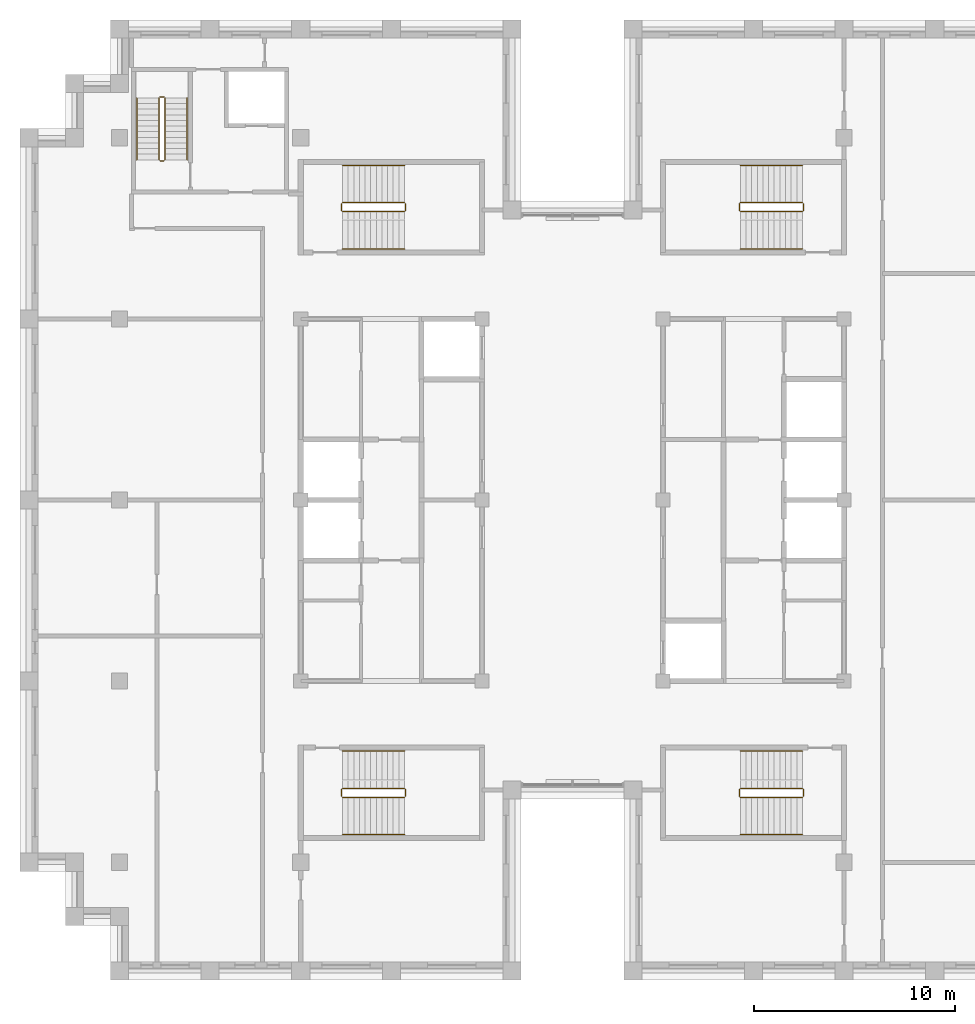
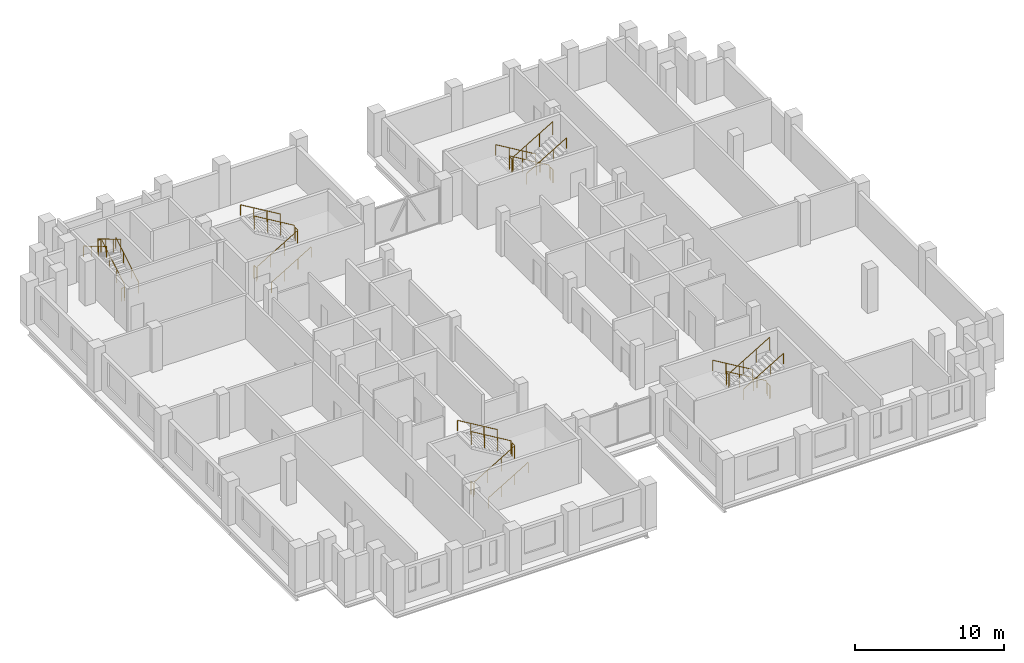
# One storey, part 13 of 13: 5 railings.
"""IFC4 building model written with IfcOpenShell, lengths in metres."""

import ifcopenshell
import ifcopenshell.guid

model = None  # the IFC model being written
_history = None  # IfcOwnerHistory: only IFC2X3 demands one
_inside = {}  # id of a spatial element -> (the spatial element, [elements in it])
_under = {}  # id of a project, library or spatial element -> (it, [spatial elements below it])
_declared = {}  # id of a project -> (the project, [libraries it declares])
_typed = {}  # id of a type object -> (the type object, [elements of that type])
_made_of = {}  # id of a material, layer set ... -> (it, [elements and type objects made of it])


def new_model(schema):
    """Start an empty IFC model of exactly this schema.

    Asked for "IFC4X3", IfcOpenShell would pick the latest addendum, in which some entities
    have other attributes; the version numbers below select the first issue.
    IFC2X3 requires an IfcOwnerHistory on every rooted entity: one is made here for all.
    """
    global model, _history
    if schema == "IFC4X3":
        model = ifcopenshell.file(schema_version=(4, 3, 0, 0))
    else:
        model = ifcopenshell.file(schema=schema)
    _inside.clear()
    _under.clear()
    _declared.clear()
    _typed.clear()
    _made_of.clear()
    _history = None
    if model.schema == "IFC2X3":
        org = make("IfcOrganization", Name="unknown")
        user = make(
            "IfcPersonAndOrganization",
            ThePerson=make("IfcPerson", FamilyName="unknown"),
            TheOrganization=org,
        )
        app = make(
            "IfcApplication",
            ApplicationDeveloper=org,
            Version="unknown",
            ApplicationFullName="unknown",
            ApplicationIdentifier="unknown",
        )
        _history = make(
            "IfcOwnerHistory",
            OwningUser=user,
            OwningApplication=app,
            ChangeAction="ADDED",
            CreationDate=0,
        )
    return model


def make(cls, **values):
    """One entity of the class cls with the attributes given. An attribute that is None is left unset."""
    return model.create_entity(
        cls, **{name: value for name, value in values.items() if value is not None}
    )


def rooted(cls, **values):
    """An entity with a GlobalId (a new one), such as an element, a storey or a relation."""
    return make(cls, GlobalId=ifcopenshell.guid.new(), OwnerHistory=_history, **values)


def si_unit(unit_type, name, prefix=None):
    """IfcSIUnit, for example si_unit("LENGTHUNIT", "METRE", prefix="MILLI")."""
    return make("IfcSIUnit", UnitType=unit_type, Prefix=prefix, Name=name)


def assignment(units):
    """IfcUnitAssignment: the units of a project."""
    return None if units is None else make("IfcUnitAssignment", Units=units)


def point(xyz):
    """IfcCartesianPoint."""
    return None if xyz is None else make("IfcCartesianPoint", Coordinates=xyz)


def direction(xyz):
    """IfcDirection."""
    return None if xyz is None else make("IfcDirection", DirectionRatios=xyz)


def frame(location, z_axis=None, x_axis=None):
    """IfcAxis2Placement3D, a coordinate frame: its origin and axes. An axis left out is left unset."""
    return make(
        "IfcAxis2Placement3D",
        Location=point(location),
        Axis=direction(z_axis),
        RefDirection=direction(x_axis),
    )


def frame_2d(location, x_axis=None):
    """IfcAxis2Placement2D, a coordinate frame in the plane: its origin and x axis."""
    return make(
        "IfcAxis2Placement2D", Location=point(location), RefDirection=direction(x_axis)
    )


def origin():
    """The frame at (0, 0, 0) with its axes left unset."""
    return frame((0.0, 0.0, 0.0))


def origin_2d():
    """The frame at (0, 0) in the plane with its x axis left unset."""
    return frame_2d((0.0, 0.0))


def place(relative_to, where):
    """IfcLocalPlacement: puts the frame where relative to a parent placement (None: the world)."""
    return make(
        "IfcLocalPlacement", PlacementRelTo=relative_to, RelativePlacement=where
    )


def context(
    kind, dimensions, precision=None, world=None, true_north=None, identifier=None
):
    """IfcGeometricRepresentationContext, for example the 3D "Model" context."""
    return make(
        "IfcGeometricRepresentationContext",
        ContextIdentifier=identifier,
        ContextType=kind,
        CoordinateSpaceDimension=dimensions,
        Precision=precision,
        WorldCoordinateSystem=world,
        TrueNorth=true_north,
    )


def subcontext(parent, identifier, kind, view, scale=None):
    """IfcGeometricRepresentationSubContext, for example "Body" below "Model"."""
    return make(
        "IfcGeometricRepresentationSubContext",
        ContextIdentifier=identifier,
        ContextType=kind,
        ParentContext=parent,
        TargetScale=scale,
        TargetView=view,
    )


def project(units=None, contexts=None):
    """IfcProject with its units and contexts."""
    return rooted(
        "IfcProject",
        Name="project",
        RepresentationContexts=contexts,
        UnitsInContext=assignment(units),
    )


def spatial(cls, under=None, at=None, **own):
    """A site, building, storey or space (cls), placed at a placement, below another one or the project."""
    s = rooted(cls, ObjectPlacement=at, **own)
    if under is not None:
        _under.setdefault(under.id(), (under, []))[1].append(s)
    return s


def profile(cls, at=None, kind="AREA", **sizes):
    """A parametric profile (cls). Its sizes go by their IFC names, for example OverallWidth=200.0."""
    return make(cls, ProfileType=kind, Position=at, **sizes)


def circle(**sizes):
    """IfcCircleProfileDef."""
    return profile("IfcCircleProfileDef", **sizes)


def extrude(swept, where, along, depth):
    """IfcExtrudedAreaSolid: the profile swept, set in the frame where, extruded along a direction by depth."""
    return make(
        "IfcExtrudedAreaSolid",
        SweptArea=swept,
        Position=where,
        ExtrudedDirection=direction(along),
        Depth=depth,
    )


def shape(context_of_items, identifier, shape_type, items):
    """IfcShapeRepresentation: the items that make up one representation, for example the "Body"."""
    return make(
        "IfcShapeRepresentation",
        ContextOfItems=context_of_items,
        RepresentationIdentifier=identifier,
        RepresentationType=shape_type,
        Items=items,
    )


def material(Name=None, Category=None):
    """IfcMaterial."""
    return make("IfcMaterial", Name=Name, Category=Category)


def made_of(thing, what):
    """Note that an element or type object is made of a material, layer set ...; save() writes the relation."""
    if what is not None:
        _made_of.setdefault(what.id(), (what, []))[1].append(thing)
    return thing


def type_object(cls, material=None, **own):
    """A type object (cls), such as IfcWallType, which elements share."""
    return made_of(rooted(cls, **own), material)


def element(
    cls,
    number,
    at=None,
    inside=None,
    cuts=None,
    type_object=None,
    material=None,
    context=None,
    identifier="Body",
    shape_type=None,
    held_by="IfcProductDefinitionShape",
    body=None,
    shapes=None,
    **own,
):
    """One element of the class cls, such as IfcWall. Its Tag is "e" and its number.

    at: its placement. inside: the storey or other place that contains it. cuts: it is an
    opening in that element (IfcRelVoidsElement). A single representation is given by context,
    identifier, shape_type and body (its items); several are given by shapes. held_by: the class
    of the entity that holds the representations. save() writes the other relations.
    """
    e = rooted(cls, Tag="e%d" % number, ObjectPlacement=at, **own)
    if body is not None:
        shapes = [shape(context, identifier, shape_type, body)]
    if shapes is not None:
        e.Representation = make(held_by, Representations=shapes)
    if inside is not None:
        _inside.setdefault(inside.id(), (inside, []))[1].append(e)
    if cuts is not None:
        rooted(
            "IfcRelVoidsElement", RelatingBuildingElement=cuts, RelatedOpeningElement=e
        )
    if type_object is not None:
        _typed.setdefault(type_object.id(), (type_object, []))[1].append(e)
    return made_of(e, material)


def aggregate(whole, parts):
    """IfcRelAggregates: a whole, such as a stair, and the parts it consists of."""
    return rooted("IfcRelAggregates", RelatingObject=whole, RelatedObjects=parts)


def save(model, path):
    """Write the relations noted so far, then the file.

    IfcRelAggregates (storeys below a building ...), IfcRelContainedInSpatialStructure (elements
    in a storey), IfcRelDefinesByType, IfcRelAssociatesMaterial and IfcRelDeclares: one each for
    every whole, place, type object, material and project.
    """
    for whole, parts in _under.values():
        aggregate(whole, parts)
    for where, things in _inside.values():
        rooted(
            "IfcRelContainedInSpatialStructure",
            RelatedElements=things,
            RelatingStructure=where,
        )
    for kind, things in _typed.values():
        rooted("IfcRelDefinesByType", RelatedObjects=things, RelatingType=kind)
    for what, things in _made_of.values():
        rooted("IfcRelAssociatesMaterial", RelatedObjects=things, RelatingMaterial=what)
    for by, libraries in _declared.values():
        rooted("IfcRelDeclares", RelatingContext=by, RelatedDefinitions=libraries)
    model.write(path)


model = new_model("IFC4")

# Units and contexts
model_context = context("Model", 3, precision=1e-05, world=origin(), true_north=direction((0.0, 1.0)))
body_context = subcontext(model_context, "Body", "Model", "MODEL_VIEW")
ifc_project = project(units=[si_unit("LENGTHUNIT", "METRE"), si_unit("AREAUNIT", "SQUARE_METRE"), si_unit("VOLUMEUNIT", "CUBIC_METRE"), si_unit("PLANEANGLEUNIT", "RADIAN"), si_unit("MASSUNIT", "GRAM", prefix="KILO")], contexts=[model_context])

# Site, building, storey
site_placement = place(None, origin())
site = spatial("IfcSite", under=ifc_project, at=site_placement, CompositionType="ELEMENT")
building_placement = place(site_placement, origin())
building = spatial("IfcBuilding", under=site, at=building_placement, Name="Corbelhall Arena Tower", CompositionType="ELEMENT")
storey_placement = place(building_placement, frame((0.0, 0.0, 316.0)))
storey = spatial("IfcBuildingStorey", under=building, at=storey_placement, Name="L69", CompositionType="ELEMENT", Elevation=316.0)

# Railings
ifc_material = material(Name="Steel ASTM A500 Gr C", Category="steel")
railing_type = type_object("IfcRailingType", Name="IN-GD-1100", PredefinedType="GUARDRAIL", material=ifc_material)
railing_1_placement = place(storey_placement, frame((-11.425048828125, 14.324951171875, 0.166748046875)))
element("IfcRailing", 1, at=railing_1_placement, inside=storey, type_object=railing_type, Name="L69 ST1 stair guards and handrails", PredefinedType="GUARDRAIL", context=body_context, shape_type="SweptSolid", body=[
    extrude(circle(Radius=0.02392578125, at=origin_2d()), frame((0.0, 0.0, 1.076171875), z_axis=(0.859308565015, 0.0, 0.511457515432), x_axis=(0.0, 1.0, 0.0)), (0.0, 0.0, 1.0), 3.58447265625),
    extrude(circle(Radius=0.02392578125, at=origin_2d()), frame((3.130126953125, 0.050048828125, 2.9091796875), z_axis=(0.0, 1.0, 0.0), x_axis=(-1.0, 0.0, 0.0)), (0.0, 0.0, 1.0), 0.35009765625),
    extrude(circle(Radius=0.02392578125, at=origin_2d()), frame((3.080078125, 0.449951171875, 3.076171875), z_axis=(-0.859308565015, 0.0, 0.511457515432), x_axis=(0.0, -1.0, 0.0)), (0.0, 0.0, 1.0), 3.58447265625),
    extrude(circle(Radius=0.02392578125, at=origin_2d()), frame((-0.050048828125, 0.050048828125, 0.9091796875), z_axis=(0.0, 1.0, 0.0), x_axis=(-1.0, 0.0, 0.0)), (0.0, 0.0, 1.0), 0.35009765625),
    extrude(circle(Radius=0.02392578125, at=origin_2d()), frame((0.0, -1.849853515625, 0.8759765625), z_axis=(0.859308565015, 0.0, 0.511457515432), x_axis=(0.0, 1.0, 0.0)), (0.0, 0.0, 1.0), 3.58447265625),
    extrude(circle(Radius=0.02392578125, at=origin_2d()), frame((3.080078125, 2.300048828125, 2.8759765625), z_axis=(-0.859308565015, 0.0, 0.511457515432), x_axis=(0.0, -1.0, 0.0)), (0.0, 0.0, 1.0), 3.58447265625),
    extrude(circle(Radius=0.02099609375, at=origin_2d()), origin(), (0.0, 0.0, 1.0), 1.052001953125),
    extrude(circle(Radius=0.02099609375, at=origin_2d()), frame((1.026611328125, 0.0, 0.611083984375)), (0.0, 0.0, 1.0), 1.052001953125),
    extrude(circle(Radius=0.02099609375, at=origin_2d()), frame((2.053466796875, 0.0, 1.22216796875)), (0.0, 0.0, 1.0), 1.052001953125),
    extrude(circle(Radius=0.02099609375, at=origin_2d()), frame((3.080078125, 0.0, 1.833251953125)), (0.0, 0.0, 1.0), 1.052001953125),
    extrude(circle(Radius=0.02099609375, at=origin_2d()), frame((3.130126953125, 0.050048828125, 1.833251953125)), (0.0, 0.0, 1.0), 1.052001953125),
    extrude(circle(Radius=0.02099609375, at=origin_2d()), frame((3.130126953125, 0.400146484375, 1.833251953125)), (0.0, 0.0, 1.0), 1.052001953125),
    extrude(circle(Radius=0.02099609375, at=origin_2d()), frame((3.080078125, 0.449951171875, 2.0)), (0.0, 0.0, 1.0), 1.052001953125),
    extrude(circle(Radius=0.02099609375, at=origin_2d()), frame((2.053466796875, 0.449951171875, 2.611083984375)), (0.0, 0.0, 1.0), 1.052001953125),
    extrude(circle(Radius=0.02099609375, at=origin_2d()), frame((1.026611328125, 0.449951171875, 3.22216796875)), (0.0, 0.0, 1.0), 1.052001953125),
    extrude(circle(Radius=0.02099609375, at=origin_2d()), frame((0.0, 0.449951171875, 3.833251953125)), (0.0, 0.0, 1.0), 1.052001953125),
    extrude(circle(Radius=0.02099609375, at=origin_2d()), frame((-0.050048828125, 0.050048828125, -0.166748046875)), (0.0, 0.0, 1.0), 1.052001953125),
    extrude(circle(Radius=0.02099609375, at=origin_2d()), frame((-0.050048828125, 0.400146484375, -0.166748046875)), (0.0, 0.0, 1.0), 1.052001953125),
    extrude(circle(Radius=0.02099609375, at=origin_2d()), frame((0.0, -1.849853515625, 0.0)), (0.0, 0.0, 1.0), 0.851806640625),
    extrude(circle(Radius=0.02099609375, at=origin_2d()), frame((1.026611328125, -1.849853515625, 0.611083984375)), (0.0, 0.0, 1.0), 0.851806640625),
    extrude(circle(Radius=0.02099609375, at=origin_2d()), frame((2.053466796875, -1.849853515625, 1.22216796875)), (0.0, 0.0, 1.0), 0.851806640625),
    extrude(circle(Radius=0.02099609375, at=origin_2d()), frame((3.080078125, -1.849853515625, 1.833251953125)), (0.0, 0.0, 1.0), 0.851806640625),
    extrude(circle(Radius=0.02099609375, at=origin_2d()), frame((3.080078125, 2.300048828125, 2.0)), (0.0, 0.0, 1.0), 0.851806640625),
    extrude(circle(Radius=0.02099609375, at=origin_2d()), frame((2.053466796875, 2.300048828125, 2.611083984375)), (0.0, 0.0, 1.0), 0.851806640625),
    extrude(circle(Radius=0.02099609375, at=origin_2d()), frame((1.026611328125, 2.300048828125, 3.22216796875)), (0.0, 0.0, 1.0), 0.851806640625),
    extrude(circle(Radius=0.02099609375, at=origin_2d()), frame((0.0, 2.300048828125, 3.833251953125)), (0.0, 0.0, 1.0), 0.851806640625),
])
railing_2_placement = place(storey_placement, frame((-11.425048828125, -14.77490234375, 0.166748046875)))
element("IfcRailing", 2, at=railing_2_placement, inside=storey, type_object=railing_type, Name="L69 ST2 stair guards and handrails", PredefinedType="GUARDRAIL", context=body_context, shape_type="SweptSolid", body=[
    extrude(circle(Radius=0.02392578125, at=origin_2d()), frame((0.0, 0.0, 1.076171875), z_axis=(0.859308565015, 0.0, 0.511457515432), x_axis=(0.0, 1.0, 0.0)), (0.0, 0.0, 1.0), 3.58447265625),
    extrude(circle(Radius=0.02392578125, at=origin_2d()), frame((3.130126953125, 0.0498046875, 2.9091796875), z_axis=(0.0, 1.0, 0.0), x_axis=(-1.0, 0.0, 0.0)), (0.0, 0.0, 1.0), 0.35009765625),
    extrude(circle(Radius=0.02392578125, at=origin_2d()), frame((3.080078125, 0.449951171875, 3.076171875), z_axis=(-0.859308565015, 0.0, 0.511457515432), x_axis=(0.0, -1.0, 0.0)), (0.0, 0.0, 1.0), 3.58447265625),
    extrude(circle(Radius=0.02392578125, at=origin_2d()), frame((-0.050048828125, 0.0498046875, 0.9091796875), z_axis=(0.0, 1.0, 0.0), x_axis=(-1.0, 0.0, 0.0)), (0.0, 0.0, 1.0), 0.35009765625),
    extrude(circle(Radius=0.02392578125, at=origin_2d()), frame((0.0, -1.85009765625, 0.8759765625), z_axis=(0.859308565015, 0.0, 0.511457515432), x_axis=(0.0, 1.0, 0.0)), (0.0, 0.0, 1.0), 3.58447265625),
    extrude(circle(Radius=0.02392578125, at=origin_2d()), frame((3.080078125, 2.2998046875, 2.8759765625), z_axis=(-0.859308565015, 0.0, 0.511457515432), x_axis=(0.0, -1.0, 0.0)), (0.0, 0.0, 1.0), 3.58447265625),
    extrude(circle(Radius=0.02099609375, at=origin_2d()), origin(), (0.0, 0.0, 1.0), 1.052001953125),
    extrude(circle(Radius=0.02099609375, at=origin_2d()), frame((1.026611328125, 0.0, 0.611083984375)), (0.0, 0.0, 1.0), 1.052001953125),
    extrude(circle(Radius=0.02099609375, at=origin_2d()), frame((2.053466796875, 0.0, 1.22216796875)), (0.0, 0.0, 1.0), 1.052001953125),
    extrude(circle(Radius=0.02099609375, at=origin_2d()), frame((3.080078125, 0.0, 1.833251953125)), (0.0, 0.0, 1.0), 1.052001953125),
    extrude(circle(Radius=0.02099609375, at=origin_2d()), frame((3.130126953125, 0.0498046875, 1.833251953125)), (0.0, 0.0, 1.0), 1.052001953125),
    extrude(circle(Radius=0.02099609375, at=origin_2d()), frame((3.130126953125, 0.39990234375, 1.833251953125)), (0.0, 0.0, 1.0), 1.052001953125),
    extrude(circle(Radius=0.02099609375, at=origin_2d()), frame((3.080078125, 0.449951171875, 2.0)), (0.0, 0.0, 1.0), 1.052001953125),
    extrude(circle(Radius=0.02099609375, at=origin_2d()), frame((2.053466796875, 0.449951171875, 2.611083984375)), (0.0, 0.0, 1.0), 1.052001953125),
    extrude(circle(Radius=0.02099609375, at=origin_2d()), frame((1.026611328125, 0.449951171875, 3.22216796875)), (0.0, 0.0, 1.0), 1.052001953125),
    extrude(circle(Radius=0.02099609375, at=origin_2d()), frame((0.0, 0.449951171875, 3.833251953125)), (0.0, 0.0, 1.0), 1.052001953125),
    extrude(circle(Radius=0.02099609375, at=origin_2d()), frame((-0.050048828125, 0.0498046875, -0.166748046875)), (0.0, 0.0, 1.0), 1.052001953125),
    extrude(circle(Radius=0.02099609375, at=origin_2d()), frame((-0.050048828125, 0.39990234375, -0.166748046875)), (0.0, 0.0, 1.0), 1.052001953125),
    extrude(circle(Radius=0.02099609375, at=origin_2d()), frame((0.0, -1.85009765625, 0.0)), (0.0, 0.0, 1.0), 0.851806640625),
    extrude(circle(Radius=0.02099609375, at=origin_2d()), frame((1.026611328125, -1.85009765625, 0.611083984375)), (0.0, 0.0, 1.0), 0.851806640625),
    extrude(circle(Radius=0.02099609375, at=origin_2d()), frame((2.053466796875, -1.85009765625, 1.22216796875)), (0.0, 0.0, 1.0), 0.851806640625),
    extrude(circle(Radius=0.02099609375, at=origin_2d()), frame((3.080078125, -1.85009765625, 1.833251953125)), (0.0, 0.0, 1.0), 0.851806640625),
    extrude(circle(Radius=0.02099609375, at=origin_2d()), frame((3.080078125, 2.2998046875, 2.0)), (0.0, 0.0, 1.0), 0.851806640625),
    extrude(circle(Radius=0.02099609375, at=origin_2d()), frame((2.053466796875, 2.2998046875, 2.611083984375)), (0.0, 0.0, 1.0), 0.851806640625),
    extrude(circle(Radius=0.02099609375, at=origin_2d()), frame((1.026611328125, 2.2998046875, 3.22216796875)), (0.0, 0.0, 1.0), 0.851806640625),
    extrude(circle(Radius=0.02099609375, at=origin_2d()), frame((0.0, 2.2998046875, 3.833251953125)), (0.0, 0.0, 1.0), 0.851806640625),
])
railing_3_placement = place(storey_placement, frame((11.425048828125, 14.77490234375, 0.166748046875)))
element("IfcRailing", 3, at=railing_3_placement, inside=storey, type_object=railing_type, Name="L69 ST3 stair guards and handrails", PredefinedType="GUARDRAIL", context=body_context, shape_type="SweptSolid", body=[
    extrude(circle(Radius=0.02392578125, at=origin_2d()), frame((0.0, 0.0, 1.076171875), z_axis=(-0.859308565015, 0.0, 0.511457515432), x_axis=(0.0, -1.0, 0.0)), (0.0, 0.0, 1.0), 3.58447265625),
    extrude(circle(Radius=0.02392578125, at=origin_2d()), frame((-3.130126953125, -0.0498046875, 2.9091796875), z_axis=(0.0, -1.0, 0.0), x_axis=(1.0, 0.0, 0.0)), (0.0, 0.0, 1.0), 0.35009765625),
    extrude(circle(Radius=0.02392578125, at=origin_2d()), frame((-3.080078125, -0.449951171875, 3.076171875), z_axis=(0.859308565015, 0.0, 0.511457515432), x_axis=(0.0, 1.0, 0.0)), (0.0, 0.0, 1.0), 3.58447265625),
    extrude(circle(Radius=0.02392578125, at=origin_2d()), frame((0.050048828125, -0.0498046875, 0.9091796875), z_axis=(0.0, -1.0, 0.0), x_axis=(1.0, 0.0, 0.0)), (0.0, 0.0, 1.0), 0.35009765625),
    extrude(circle(Radius=0.02392578125, at=origin_2d()), frame((0.0, 1.85009765625, 0.8759765625), z_axis=(-0.859308565015, 0.0, 0.511457515432), x_axis=(0.0, -1.0, 0.0)), (0.0, 0.0, 1.0), 3.58447265625),
    extrude(circle(Radius=0.02392578125, at=origin_2d()), frame((-3.080078125, -2.2998046875, 2.8759765625), z_axis=(0.859308565015, 0.0, 0.511457515432), x_axis=(0.0, 1.0, 0.0)), (0.0, 0.0, 1.0), 3.58447265625),
    extrude(circle(Radius=0.02099609375, at=origin_2d()), origin(), (0.0, 0.0, 1.0), 1.052001953125),
    extrude(circle(Radius=0.02099609375, at=origin_2d()), frame((-1.026611328125, 0.0, 0.611083984375)), (0.0, 0.0, 1.0), 1.052001953125),
    extrude(circle(Radius=0.02099609375, at=origin_2d()), frame((-2.053466796875, 0.0, 1.22216796875)), (0.0, 0.0, 1.0), 1.052001953125),
    extrude(circle(Radius=0.02099609375, at=origin_2d()), frame((-3.080078125, 0.0, 1.833251953125)), (0.0, 0.0, 1.0), 1.052001953125),
    extrude(circle(Radius=0.02099609375, at=origin_2d()), frame((-3.130126953125, -0.0498046875, 1.833251953125)), (0.0, 0.0, 1.0), 1.052001953125),
    extrude(circle(Radius=0.02099609375, at=origin_2d()), frame((-3.130126953125, -0.39990234375, 1.833251953125)), (0.0, 0.0, 1.0), 1.052001953125),
    extrude(circle(Radius=0.02099609375, at=origin_2d()), frame((-3.080078125, -0.449951171875, 2.0)), (0.0, 0.0, 1.0), 1.052001953125),
    extrude(circle(Radius=0.02099609375, at=origin_2d()), frame((-2.053466796875, -0.449951171875, 2.611083984375)), (0.0, 0.0, 1.0), 1.052001953125),
    extrude(circle(Radius=0.02099609375, at=origin_2d()), frame((-1.026611328125, -0.449951171875, 3.22216796875)), (0.0, 0.0, 1.0), 1.052001953125),
    extrude(circle(Radius=0.02099609375, at=origin_2d()), frame((0.0, -0.449951171875, 3.833251953125)), (0.0, 0.0, 1.0), 1.052001953125),
    extrude(circle(Radius=0.02099609375, at=origin_2d()), frame((0.050048828125, -0.0498046875, -0.166748046875)), (0.0, 0.0, 1.0), 1.052001953125),
    extrude(circle(Radius=0.02099609375, at=origin_2d()), frame((0.050048828125, -0.39990234375, -0.166748046875)), (0.0, 0.0, 1.0), 1.052001953125),
    extrude(circle(Radius=0.02099609375, at=origin_2d()), frame((0.0, 1.85009765625, 0.0)), (0.0, 0.0, 1.0), 0.851806640625),
    extrude(circle(Radius=0.02099609375, at=origin_2d()), frame((-1.026611328125, 1.85009765625, 0.611083984375)), (0.0, 0.0, 1.0), 0.851806640625),
    extrude(circle(Radius=0.02099609375, at=origin_2d()), frame((-2.053466796875, 1.85009765625, 1.22216796875)), (0.0, 0.0, 1.0), 0.851806640625),
    extrude(circle(Radius=0.02099609375, at=origin_2d()), frame((-3.080078125, 1.85009765625, 1.833251953125)), (0.0, 0.0, 1.0), 0.851806640625),
    extrude(circle(Radius=0.02099609375, at=origin_2d()), frame((-3.080078125, -2.2998046875, 2.0)), (0.0, 0.0, 1.0), 0.851806640625),
    extrude(circle(Radius=0.02099609375, at=origin_2d()), frame((-2.053466796875, -2.2998046875, 2.611083984375)), (0.0, 0.0, 1.0), 0.851806640625),
    extrude(circle(Radius=0.02099609375, at=origin_2d()), frame((-1.026611328125, -2.2998046875, 3.22216796875)), (0.0, 0.0, 1.0), 0.851806640625),
    extrude(circle(Radius=0.02099609375, at=origin_2d()), frame((0.0, -2.2998046875, 3.833251953125)), (0.0, 0.0, 1.0), 0.851806640625),
])
railing_4_placement = place(storey_placement, frame((11.425048828125, -14.324951171875, 0.166748046875)))
element("IfcRailing", 4, at=railing_4_placement, inside=storey, type_object=railing_type, Name="L69 ST4 stair guards and handrails", PredefinedType="GUARDRAIL", context=body_context, shape_type="SweptSolid", body=[
    extrude(circle(Radius=0.02392578125, at=origin_2d()), frame((0.0, 0.0, 1.076171875), z_axis=(-0.859308565015, 0.0, 0.511457515432), x_axis=(0.0, -1.0, 0.0)), (0.0, 0.0, 1.0), 3.58447265625),
    extrude(circle(Radius=0.02392578125, at=origin_2d()), frame((-3.130126953125, -0.050048828125, 2.9091796875), z_axis=(0.0, -1.0, 0.0), x_axis=(1.0, 0.0, 0.0)), (0.0, 0.0, 1.0), 0.35009765625),
    extrude(circle(Radius=0.02392578125, at=origin_2d()), frame((-3.080078125, -0.449951171875, 3.076171875), z_axis=(0.859308565015, 0.0, 0.511457515432), x_axis=(0.0, 1.0, 0.0)), (0.0, 0.0, 1.0), 3.58447265625),
    extrude(circle(Radius=0.02392578125, at=origin_2d()), frame((0.050048828125, -0.050048828125, 0.9091796875), z_axis=(0.0, -1.0, 0.0), x_axis=(1.0, 0.0, 0.0)), (0.0, 0.0, 1.0), 0.35009765625),
    extrude(circle(Radius=0.02392578125, at=origin_2d()), frame((0.0, 1.849853515625, 0.8759765625), z_axis=(-0.859308565015, 0.0, 0.511457515432), x_axis=(0.0, -1.0, 0.0)), (0.0, 0.0, 1.0), 3.58447265625),
    extrude(circle(Radius=0.02392578125, at=origin_2d()), frame((-3.080078125, -2.300048828125, 2.8759765625), z_axis=(0.859308565015, 0.0, 0.511457515432), x_axis=(0.0, 1.0, 0.0)), (0.0, 0.0, 1.0), 3.58447265625),
    extrude(circle(Radius=0.02099609375, at=origin_2d()), origin(), (0.0, 0.0, 1.0), 1.052001953125),
    extrude(circle(Radius=0.02099609375, at=origin_2d()), frame((-1.026611328125, 0.0, 0.611083984375)), (0.0, 0.0, 1.0), 1.052001953125),
    extrude(circle(Radius=0.02099609375, at=origin_2d()), frame((-2.053466796875, 0.0, 1.22216796875)), (0.0, 0.0, 1.0), 1.052001953125),
    extrude(circle(Radius=0.02099609375, at=origin_2d()), frame((-3.080078125, 0.0, 1.833251953125)), (0.0, 0.0, 1.0), 1.052001953125),
    extrude(circle(Radius=0.02099609375, at=origin_2d()), frame((-3.130126953125, -0.050048828125, 1.833251953125)), (0.0, 0.0, 1.0), 1.052001953125),
    extrude(circle(Radius=0.02099609375, at=origin_2d()), frame((-3.130126953125, -0.400146484375, 1.833251953125)), (0.0, 0.0, 1.0), 1.052001953125),
    extrude(circle(Radius=0.02099609375, at=origin_2d()), frame((-3.080078125, -0.449951171875, 2.0)), (0.0, 0.0, 1.0), 1.052001953125),
    extrude(circle(Radius=0.02099609375, at=origin_2d()), frame((-2.053466796875, -0.449951171875, 2.611083984375)), (0.0, 0.0, 1.0), 1.052001953125),
    extrude(circle(Radius=0.02099609375, at=origin_2d()), frame((-1.026611328125, -0.449951171875, 3.22216796875)), (0.0, 0.0, 1.0), 1.052001953125),
    extrude(circle(Radius=0.02099609375, at=origin_2d()), frame((0.0, -0.449951171875, 3.833251953125)), (0.0, 0.0, 1.0), 1.052001953125),
    extrude(circle(Radius=0.02099609375, at=origin_2d()), frame((0.050048828125, -0.050048828125, -0.166748046875)), (0.0, 0.0, 1.0), 1.052001953125),
    extrude(circle(Radius=0.02099609375, at=origin_2d()), frame((0.050048828125, -0.400146484375, -0.166748046875)), (0.0, 0.0, 1.0), 1.052001953125),
    extrude(circle(Radius=0.02099609375, at=origin_2d()), frame((0.0, 1.849853515625, 0.0)), (0.0, 0.0, 1.0), 0.851806640625),
    extrude(circle(Radius=0.02099609375, at=origin_2d()), frame((-1.026611328125, 1.849853515625, 0.611083984375)), (0.0, 0.0, 1.0), 0.851806640625),
    extrude(circle(Radius=0.02099609375, at=origin_2d()), frame((-2.053466796875, 1.849853515625, 1.22216796875)), (0.0, 0.0, 1.0), 0.851806640625),
    extrude(circle(Radius=0.02099609375, at=origin_2d()), frame((-3.080078125, 1.849853515625, 1.833251953125)), (0.0, 0.0, 1.0), 0.851806640625),
    extrude(circle(Radius=0.02099609375, at=origin_2d()), frame((-3.080078125, -2.300048828125, 2.0)), (0.0, 0.0, 1.0), 0.851806640625),
    extrude(circle(Radius=0.02099609375, at=origin_2d()), frame((-2.053466796875, -2.300048828125, 2.611083984375)), (0.0, 0.0, 1.0), 0.851806640625),
    extrude(circle(Radius=0.02099609375, at=origin_2d()), frame((-1.026611328125, -2.300048828125, 3.22216796875)), (0.0, 0.0, 1.0), 0.851806640625),
    extrude(circle(Radius=0.02099609375, at=origin_2d()), frame((0.0, -2.300048828125, 3.833251953125)), (0.0, 0.0, 1.0), 0.851806640625),
])
railing_5_placement = place(storey_placement, frame((-20.2451171875, 16.89990234375, 0.166748046875)))
element("IfcRailing", 5, at=railing_5_placement, inside=storey, type_object=railing_type, Name="L69 ST5 stair guards and handrails", PredefinedType="GUARDRAIL", context=body_context, shape_type="SweptSolid", body=[
    extrude(circle(Radius=0.02392578125, at=origin_2d()), frame((0.0, 0.0, 1.076171875), z_axis=(0.0, 0.859308565015, 0.511457515432), x_axis=(-1.0, 0.0, 0.0)), (0.0, 0.0, 1.0), 3.58447265625),
    extrude(circle(Radius=0.02392578125, at=origin_2d()), frame((-0.0498046875, 3.130126953125, 2.9091796875), z_axis=(-1.0, 0.0, 0.0), x_axis=(0.0, -1.0, 0.0)), (0.0, 0.0, 1.0), 0.2001953125),
    extrude(circle(Radius=0.02392578125, at=origin_2d()), frame((-0.2998046875, 3.080078125, 3.076171875), z_axis=(0.0, -0.859308565015, 0.511457515432), x_axis=(1.0, 0.0, 0.0)), (0.0, 0.0, 1.0), 3.58447265625),
    extrude(circle(Radius=0.02392578125, at=origin_2d()), frame((-0.0498046875, -0.0498046875, 0.9091796875), z_axis=(-1.0, 0.0, 0.0), x_axis=(0.0, -1.0, 0.0)), (0.0, 0.0, 1.0), 0.2001953125),
    extrude(circle(Radius=0.02392578125, at=origin_2d()), frame((1.10009765625, 0.0, 0.8759765625), z_axis=(0.0, 0.859308565015, 0.511457515432), x_axis=(-1.0, 0.0, 0.0)), (0.0, 0.0, 1.0), 3.58447265625),
    extrude(circle(Radius=0.02392578125, at=origin_2d()), frame((-1.39990234375, 3.080078125, 2.8759765625), z_axis=(0.0, -0.859308565015, 0.511457515432), x_axis=(1.0, 0.0, 0.0)), (0.0, 0.0, 1.0), 3.58447265625),
    extrude(circle(Radius=0.02099609375, at=origin_2d()), origin(), (0.0, 0.0, 1.0), 1.052001953125),
    extrude(circle(Radius=0.02099609375, at=origin_2d()), frame((0.0, 1.026611328125, 0.611083984375)), (0.0, 0.0, 1.0), 1.052001953125),
    extrude(circle(Radius=0.02099609375, at=origin_2d()), frame((0.0, 2.053466796875, 1.22216796875)), (0.0, 0.0, 1.0), 1.052001953125),
    extrude(circle(Radius=0.02099609375, at=origin_2d()), frame((0.0, 3.080078125, 1.833251953125)), (0.0, 0.0, 1.0), 1.052001953125),
    extrude(circle(Radius=0.02099609375, at=origin_2d()), frame((-0.0498046875, 3.130126953125, 1.833251953125)), (0.0, 0.0, 1.0), 1.052001953125),
    extrude(circle(Radius=0.02099609375, at=origin_2d()), frame((-0.25, 3.130126953125, 1.833251953125)), (0.0, 0.0, 1.0), 1.052001953125),
    extrude(circle(Radius=0.02099609375, at=origin_2d()), frame((-0.2998046875, 3.080078125, 2.0)), (0.0, 0.0, 1.0), 1.052001953125),
    extrude(circle(Radius=0.02099609375, at=origin_2d()), frame((-0.2998046875, 2.053466796875, 2.611083984375)), (0.0, 0.0, 1.0), 1.052001953125),
    extrude(circle(Radius=0.02099609375, at=origin_2d()), frame((-0.2998046875, 1.026611328125, 3.22216796875)), (0.0, 0.0, 1.0), 1.052001953125),
    extrude(circle(Radius=0.02099609375, at=origin_2d()), frame((-0.2998046875, 0.0, 3.833251953125)), (0.0, 0.0, 1.0), 1.052001953125),
    extrude(circle(Radius=0.02099609375, at=origin_2d()), frame((-0.0498046875, -0.0498046875, -0.166748046875)), (0.0, 0.0, 1.0), 1.052001953125),
    extrude(circle(Radius=0.02099609375, at=origin_2d()), frame((-0.25, -0.0498046875, -0.166748046875)), (0.0, 0.0, 1.0), 1.052001953125),
    extrude(circle(Radius=0.02099609375, at=origin_2d()), frame((1.10009765625, 0.0, 0.0)), (0.0, 0.0, 1.0), 0.851806640625),
    extrude(circle(Radius=0.02099609375, at=origin_2d()), frame((1.10009765625, 1.026611328125, 0.611083984375)), (0.0, 0.0, 1.0), 0.851806640625),
    extrude(circle(Radius=0.02099609375, at=origin_2d()), frame((1.10009765625, 2.053466796875, 1.22216796875)), (0.0, 0.0, 1.0), 0.851806640625),
    extrude(circle(Radius=0.02099609375, at=origin_2d()), frame((1.10009765625, 3.080078125, 1.833251953125)), (0.0, 0.0, 1.0), 0.851806640625),
    extrude(circle(Radius=0.02099609375, at=origin_2d()), frame((-1.39990234375, 3.080078125, 2.0)), (0.0, 0.0, 1.0), 0.851806640625),
    extrude(circle(Radius=0.02099609375, at=origin_2d()), frame((-1.39990234375, 2.053466796875, 2.611083984375)), (0.0, 0.0, 1.0), 0.851806640625),
    extrude(circle(Radius=0.02099609375, at=origin_2d()), frame((-1.39990234375, 1.026611328125, 3.22216796875)), (0.0, 0.0, 1.0), 0.851806640625),
    extrude(circle(Radius=0.02099609375, at=origin_2d()), frame((-1.39990234375, 0.0, 3.833251953125)), (0.0, 0.0, 1.0), 0.851806640625),
])

save(model, "model.ifc")
